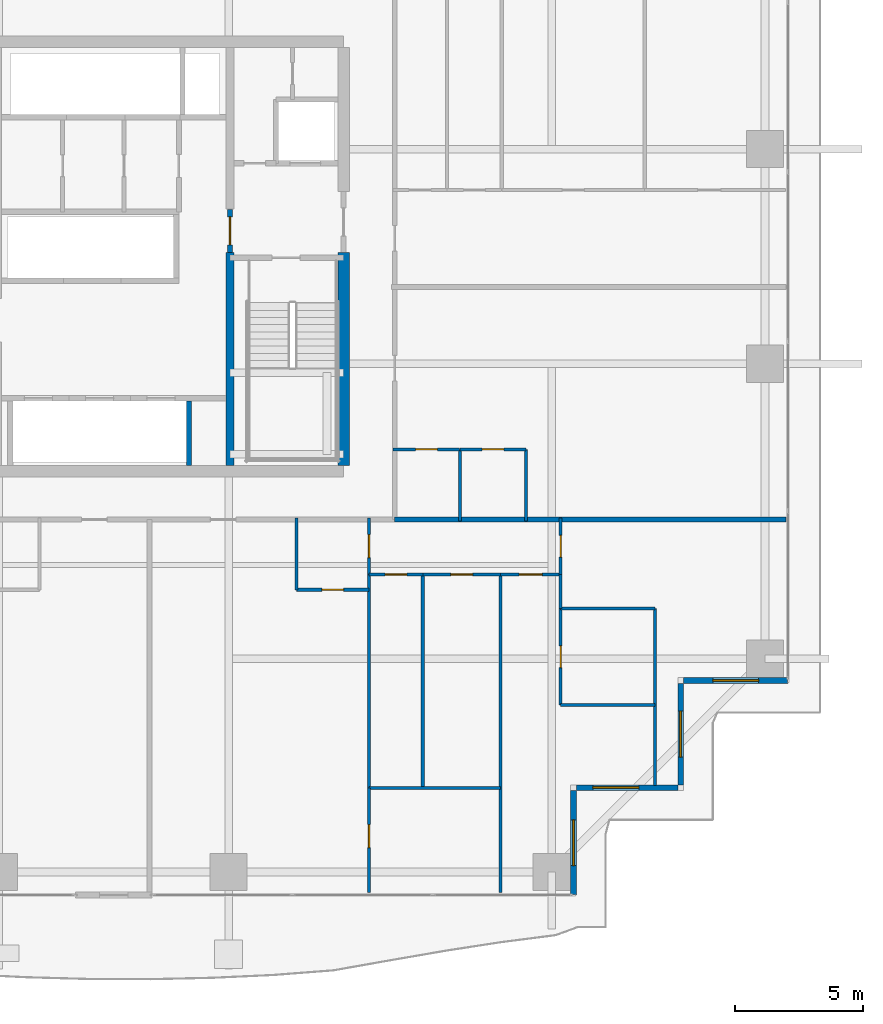
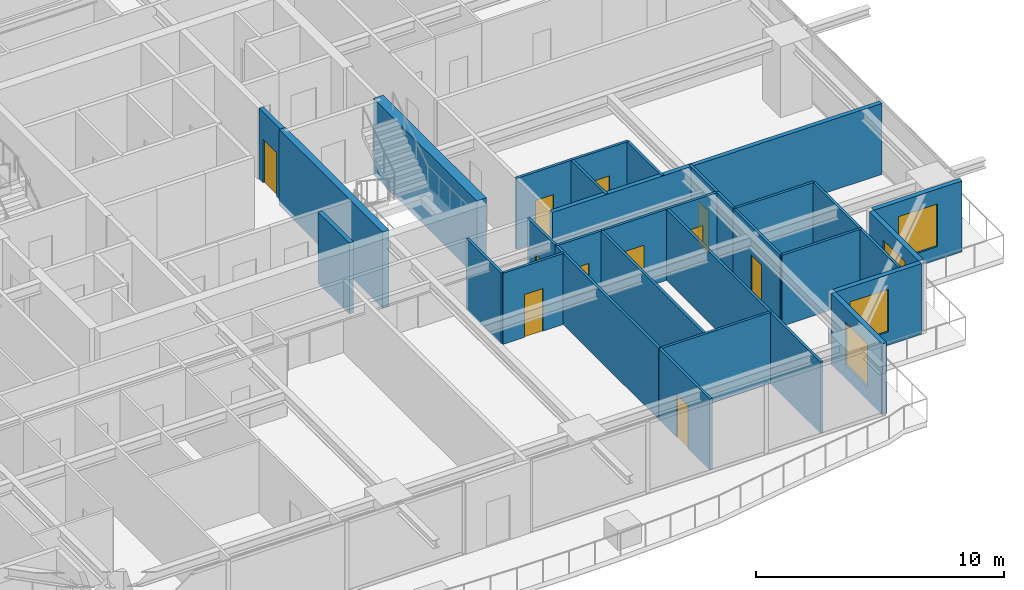
# One storey, part 28 of 39: 30 walls, 11 doors, 4 windows, 15 openings.
"""IFC4 building model written with IfcOpenShell, lengths in metres."""

from ifc_helpers import new_model, si_unit, direction, frame, frame_2d, origin, place, context, subcontext, project, spatial, rectangle, extrude, source, transform, mapped, material, layer, layer_set, type_object, element, fill, save


model = new_model("IFC4")

# Units and contexts
model_context = context("Model", 3, precision=1e-05, world=origin(), true_north=direction((0.0, 1.0)))
body_context = subcontext(model_context, "Body", "Model", "MODEL_VIEW")
ifc_project = project(units=[si_unit("LENGTHUNIT", "METRE"), si_unit("AREAUNIT", "SQUARE_METRE"), si_unit("VOLUMEUNIT", "CUBIC_METRE"), si_unit("PLANEANGLEUNIT", "RADIAN"), si_unit("MASSUNIT", "GRAM", prefix="KILO")], contexts=[model_context])

# Site, building, storey
site_placement = place(None, origin())
site = spatial("IfcSite", under=ifc_project, at=site_placement, CompositionType="ELEMENT")
building_placement = place(site_placement, origin())
building = spatial("IfcBuilding", under=site, at=building_placement, Name="Serunith Strait Residences", CompositionType="ELEMENT")
storey_placement = place(building_placement, frame((0.0, 0.0, 60.449951171875)))
storey = spatial("IfcBuildingStorey", under=building, at=storey_placement, Name="L14", CompositionType="ELEMENT", Elevation=60.449951171875)

# Wall, opening, window
ifc_material_1 = material(Name="Pale-Champagne Aluminium Insulated Panel", Category="aluminium")
ifc_layer_1 = layer(ifc_material_1, 0.219970703125, Name="Pale-Champagne Aluminium Insulated Panel")
ifc_layer_set_1 = layer_set([ifc_layer_1], Name="Pale-Champagne Aluminium Insulated Panel")
wall_type_1 = type_object("IfcWallType", Name="EW-ALUM-220", PredefinedType="ELEMENTEDWALL", material=ifc_layer_set_1)
wall_1_placement = place(storey_placement, frame((50.39990234375, 0.199951171875, 0.0), z_axis=(0.0, 0.0, 1.0), x_axis=(0.0, 1.0, 0.0)))
wall_1 = element("IfcWall", 1, at=wall_1_placement, inside=storey, type_object=wall_type_1, Name="L14 Girih Serrated Corner Wall 02", PredefinedType="ELEMENTEDWALL", context=body_context, shape_type="SweptSolid", body=[
    extrude(rectangle(XDim=4.090087890625, YDim=0.219970703125, at=frame_2d((2.044921875, 0.0))), origin(), (0.0, 0.0, 1.0), 3.47509765625),
])
opening_1_placement = place(wall_1_placement, frame((1.14501953125, 0.0, 0.64990234375)))
opening_1 = element("IfcOpeningElement", 2, at=opening_1_placement, cuts=wall_1, Name="Opening W-01", PredefinedType="OPENING", context=body_context, shape_type="SweptSolid", body=[
    extrude(rectangle(XDim=1.800048828125, YDim=2.10009765625, at=frame_2d((0.89990234375, 1.050048828125))), frame((0.0, 0.1201171875, 0.0), z_axis=(0.0, -1.0, 0.0), x_axis=(1.0, 0.0, 0.0)), (0.0, 0.0, 1.0), 0.239990234375),
])
ifc_material_2 = material(Name="Ceramic-Fritted Operable Aluminium Window Glass", Category="aluminium")
window_type = type_object("IfcWindowType", Name="WIN-C1", PartitioningType="DOUBLE_PANEL_VERTICAL", PredefinedType="WINDOW", material=ifc_material_2)
shared_shape_1 = source(origin(), body_context, "Body", "SweptSolid", [
    extrude(rectangle(XDim=1.800048828125, YDim=2.10009765625, at=frame_2d((0.89990234375, 1.050048828125))), frame((0.0, 0.030029296875, 0.0), z_axis=(0.0, -1.0, 0.0), x_axis=(1.0, 0.0, 0.0)), (0.0, 0.0, 1.0), 0.06005859375),
])
window_1_placement = place(opening_1_placement, origin())
window_1 = element("IfcWindow", 3, at=window_1_placement, inside=storey, type_object=window_type, Name="L14 Corner Operable Fritted Window 02", OverallHeight=2.10009765625, OverallWidth=1.800048828125, PartitioningType="SINGLE_PANEL", PredefinedType="WINDOW", context=body_context, shape_type="MappedRepresentation", body=[
    mapped(shared_shape_1, transform((0.0, 0.0, 0.0), scale=1.0)),
])
fill(opening_1, window_1)

wall_2_placement = place(storey_placement, frame((50.510009765625, 4.39990234375, 0.0), z_axis=(0.0, 0.0, 1.0), x_axis=(1.0, 0.0, 0.0)))
wall_2 = element("IfcWall", 4, at=wall_2_placement, inside=storey, type_object=wall_type_1, Name="L14 Girih Serrated Corner Wall 03", PredefinedType="ELEMENTEDWALL", context=body_context, shape_type="SweptSolid", body=[
    extrude(rectangle(XDim=3.97998046875, YDim=0.219970703125, at=frame_2d((1.989990234375, 0.0))), origin(), (0.0, 0.0, 1.0), 3.47509765625),
])
opening_2_placement = place(wall_2_placement, frame((0.654052734375, 0.0, 0.64990234375)))
opening_2 = element("IfcOpeningElement", 5, at=opening_2_placement, cuts=wall_2, Name="Opening W-01", PredefinedType="OPENING", context=body_context, shape_type="SweptSolid", body=[
    extrude(rectangle(XDim=1.800048828125, YDim=2.10009765625, at=frame_2d((0.89990234375, 1.050048828125))), frame((0.0, 0.1201171875, 0.0), z_axis=(0.0, -1.0, 0.0), x_axis=(1.0, 0.0, 0.0)), (0.0, 0.0, 1.0), 0.239990234375),
])
window_2_placement = place(opening_2_placement, origin())
window_2 = element("IfcWindow", 6, at=window_2_placement, inside=storey, type_object=window_type, Name="L14 Corner Operable Fritted Window 03", OverallHeight=2.10009765625, OverallWidth=1.800048828125, PartitioningType="SINGLE_PANEL", PredefinedType="WINDOW", context=body_context, shape_type="MappedRepresentation", body=[
    mapped(shared_shape_1, transform((0.0, 0.0, 0.0), scale=1.0)),
])
fill(opening_2, window_2)

wall_3_placement = place(storey_placement, frame((54.60009765625, 4.510009765625, 0.0), z_axis=(0.0, 0.0, 1.0), x_axis=(0.0, 1.0, 0.0)))
wall_3 = element("IfcWall", 7, at=wall_3_placement, inside=storey, type_object=wall_type_1, Name="L14 Girih Serrated Corner Wall 04", PredefinedType="ELEMENTEDWALL", context=body_context, shape_type="SweptSolid", body=[
    extrude(rectangle(XDim=3.97998046875, YDim=0.219970703125, at=frame_2d((1.989990234375, 0.0))), origin(), (0.0, 0.0, 1.0), 3.47509765625),
])
opening_3_placement = place(wall_3_placement, frame((1.090087890625, 0.0, 0.64990234375)))
opening_3 = element("IfcOpeningElement", 8, at=opening_3_placement, cuts=wall_3, Name="Opening W-01", PredefinedType="OPENING", context=body_context, shape_type="SweptSolid", body=[
    extrude(rectangle(XDim=1.800048828125, YDim=2.10009765625, at=frame_2d((0.89990234375, 1.050048828125))), frame((0.0, 0.1201171875, 0.0), z_axis=(0.0, -1.0, 0.0), x_axis=(1.0, 0.0, 0.0)), (0.0, 0.0, 1.0), 0.239990234375),
])
window_3_placement = place(opening_3_placement, origin())
window_3 = element("IfcWindow", 9, at=window_3_placement, inside=storey, type_object=window_type, Name="L14 Corner Operable Fritted Window 04", OverallHeight=2.10009765625, OverallWidth=1.800048828125, PartitioningType="SINGLE_PANEL", PredefinedType="WINDOW", context=body_context, shape_type="MappedRepresentation", body=[
    mapped(shared_shape_1, transform((0.0, 0.0, 0.0), scale=1.0)),
])
fill(opening_3, window_3)

wall_4_placement = place(storey_placement, frame((54.7099609375, 8.60009765625, 0.0), z_axis=(0.0, 0.0, 1.0), x_axis=(1.0, 0.0, 0.0)))
wall_4 = element("IfcWall", 10, at=wall_4_placement, inside=storey, type_object=wall_type_1, Name="L14 Girih Serrated Corner Wall 05", PredefinedType="ELEMENTEDWALL", context=body_context, shape_type="SweptSolid", body=[
    extrude(rectangle(XDim=4.090087890625, YDim=0.219970703125, at=frame_2d((2.044921875, 0.0))), origin(), (0.0, 0.0, 1.0), 3.47509765625),
])
opening_4_placement = place(wall_4_placement, frame((1.14501953125, 0.0, 0.64990234375)))
opening_4 = element("IfcOpeningElement", 11, at=opening_4_placement, cuts=wall_4, Name="Opening W-01", PredefinedType="OPENING", context=body_context, shape_type="SweptSolid", body=[
    extrude(rectangle(XDim=1.800048828125, YDim=2.10009765625, at=frame_2d((0.89990234375, 1.050048828125))), frame((0.0, 0.1201171875, 0.0), z_axis=(0.0, -1.0, 0.0), x_axis=(1.0, 0.0, 0.0)), (0.0, 0.0, 1.0), 0.239990234375),
])
window_4_placement = place(opening_4_placement, origin())
window_4 = element("IfcWindow", 12, at=window_4_placement, inside=storey, type_object=window_type, Name="L14 Corner Operable Fritted Window 05", OverallHeight=2.10009765625, OverallWidth=1.800048828125, PartitioningType="SINGLE_PANEL", PredefinedType="WINDOW", context=body_context, shape_type="MappedRepresentation", body=[
    mapped(shared_shape_1, transform((0.0, 0.0, 0.0), scale=1.0)),
])
fill(opening_4, window_4)

# Wall, opening, door
ifc_material_3 = material(Name="Lightweight steel-stud gypsum partition", Category="steel")
ifc_layer_2 = layer(ifc_material_3, 0.1201171875, Name="Lightweight steel-stud gypsum partition")
ifc_layer_set_2 = layer_set([ifc_layer_2], Name="Lightweight steel-stud gypsum partition")
wall_type_2 = type_object("IfcWallType", Name="IW-PART-120", PredefinedType="PARTITIONING", material=ifc_layer_set_2)
wall_5_placement = place(storey_placement, frame((39.550048828125, 12.14990234375, 0.0), z_axis=(0.0, 0.0, 1.0), x_axis=(1.0, 0.0, 0.0)))
wall_5 = element("IfcWall", 13, at=wall_5_placement, inside=storey, type_object=wall_type_2, Name="L14 Partition Wall 047", PredefinedType="PARTITIONING", context=body_context, shape_type="SweptSolid", body=[
    extrude(rectangle(XDim=2.849853515625, YDim=0.1201171875, at=frame_2d((1.4248046875, 0.0))), origin(), (0.0, 0.0, 1.0), 3.489990234375),
])
opening_5_placement = place(wall_5_placement, frame((1.0, 0.0, 0.0)))
opening_5 = element("IfcOpeningElement", 14, at=opening_5_placement, cuts=wall_5, Name="Opening D-RM850", PredefinedType="OPENING", context=body_context, shape_type="SweptSolid", body=[
    extrude(rectangle(XDim=0.85009765625, YDim=2.10009765625, at=frame_2d((0.425048828125, 1.050048828125))), frame((0.0, 0.070068359375, 0.0), z_axis=(0.0, -1.0, 0.0), x_axis=(1.0, 0.0, 0.0)), (0.0, 0.0, 1.0), 0.14013671875),
])
ifc_material_4 = material(Name="Engineered timber flush study and kitchen door", Category="wood")
door_type_1 = type_object("IfcDoorType", Name="ID-ROOM-850", OperationType="NOTDEFINED", PredefinedType="DOOR", material=ifc_material_4)
shared_shape_2 = source(origin(), body_context, "Body", "SweptSolid", [
    extrude(rectangle(XDim=0.85009765625, YDim=2.10009765625, at=frame_2d((0.425048828125, 1.050048828125))), frame((0.0, 0.02490234375, 0.0), z_axis=(0.0, -1.0, 0.0), x_axis=(1.0, 0.0, 0.0)), (0.0, 0.0, 1.0), 0.050048828125),
])
door_1_placement = place(opening_5_placement, origin())
door_1 = element("IfcDoor", 15, at=door_1_placement, inside=storey, type_object=door_type_1, Name="L14 Kitchen 1402 Door", OperationType="SINGLE_SWING_LEFT", OverallHeight=2.10009765625, OverallWidth=0.85009765625, PredefinedType="DOOR", context=body_context, shape_type="MappedRepresentation", body=[
    mapped(shared_shape_2, transform((0.0, 0.0, 0.0), scale=1.0)),
])
fill(opening_5, door_1)

# Wall
wall_6_placement = place(storey_placement, frame((39.550048828125, 12.14990234375, 0.0), z_axis=(0.0, 0.0, 1.0), x_axis=(0.0, 1.0, 0.0)))
element("IfcWall", 16, at=wall_6_placement, inside=storey, type_object=wall_type_2, Name="L14 Partition Wall 048", PredefinedType="PARTITIONING", context=body_context, shape_type="SweptSolid", body=[
    extrude(rectangle(XDim=2.81005859375, YDim=0.1201171875, at=frame_2d((1.405029296875, 0.0))), origin(), (0.0, 0.0, 1.0), 3.489990234375),
])

# Wall, opening, door
wall_7_placement = place(storey_placement, frame((42.39990234375, 12.75, 0.0), z_axis=(0.0, 0.0, 1.0), x_axis=(0.0, 1.0, 0.0)))
wall_7 = element("IfcWall", 17, at=wall_7_placement, inside=storey, type_object=wall_type_2, Name="L14 Partition Wall 049", PredefinedType="PARTITIONING", context=body_context, shape_type="SweptSolid", body=[
    extrude(rectangle(XDim=2.2099609375, YDim=0.1201171875, at=frame_2d((1.10498046875, 0.0))), origin(), (0.0, 0.0, 1.0), 3.489990234375),
])
opening_6_placement = place(wall_7_placement, frame((0.655029296875, 0.0, 0.0)))
opening_6 = element("IfcOpeningElement", 18, at=opening_6_placement, cuts=wall_7, Name="Opening D-RM900", PredefinedType="OPENING", context=body_context, shape_type="SweptSolid", body=[
    extrude(rectangle(XDim=0.89990234375, YDim=2.10009765625, at=frame_2d((0.449951171875, 1.050048828125))), frame((0.0, 0.070068359375, 0.0), z_axis=(0.0, -1.0, 0.0), x_axis=(1.0, 0.0, 0.0)), (0.0, 0.0, 1.0), 0.14013671875),
])
ifc_material_5 = material(Name="Engineered timber flush bedroom door", Category="wood")
door_type_2 = type_object("IfcDoorType", Name="ID-ROOM-900", OperationType="NOTDEFINED", PredefinedType="DOOR", material=ifc_material_5)
shared_shape_3 = source(origin(), body_context, "Body", "SweptSolid", [
    extrude(rectangle(XDim=0.89990234375, YDim=2.10009765625, at=frame_2d((0.449951171875, 1.050048828125))), frame((0.0, 0.02490234375, 0.0), z_axis=(0.0, -1.0, 0.0), x_axis=(1.0, 0.0, 0.0)), (0.0, 0.0, 1.0), 0.050048828125),
])
door_2_placement = place(opening_6_placement, origin())
door_2 = element("IfcDoor", 19, at=door_2_placement, inside=storey, type_object=door_type_2, Name="L14 Hall E 1402 Door", OperationType="SINGLE_SWING_RIGHT", OverallHeight=2.10009765625, OverallWidth=0.89990234375, PredefinedType="DOOR", context=body_context, shape_type="MappedRepresentation", body=[
    mapped(shared_shape_3, transform((0.0, 0.0, 0.0), scale=1.0)),
])
fill(opening_6, door_2)

wall_8_placement = place(storey_placement, frame((42.39990234375, 0.294921875, 0.0), z_axis=(0.0, 0.0, 1.0), x_axis=(0.0, 1.0, 0.0)))
wall_8 = element("IfcWall", 20, at=wall_8_placement, inside=storey, type_object=wall_type_2, Name="L14 Partition Wall 050", PredefinedType="PARTITIONING", context=body_context, shape_type="SweptSolid", body=[
    extrude(rectangle(XDim=4.10009765625, YDim=0.1201171875, at=frame_2d((2.050048828125, 0.0))), origin(), (0.0, 0.0, 1.0), 3.489990234375),
])
opening_7_placement = place(wall_8_placement, frame((1.760009765625, 0.0, 0.0)))
opening_7 = element("IfcOpeningElement", 21, at=opening_7_placement, cuts=wall_8, Name="Opening D-RM900", PredefinedType="OPENING", context=body_context, shape_type="SweptSolid", body=[
    extrude(rectangle(XDim=0.89990234375, YDim=2.10009765625, at=frame_2d((0.449951171875, 1.050048828125))), frame((0.0, 0.070068359375, 0.0), z_axis=(0.0, -1.0, 0.0), x_axis=(1.0, 0.0, 0.0)), (0.0, 0.0, 1.0), 0.14013671875),
])
door_3_placement = place(opening_7_placement, origin())
door_3 = element("IfcDoor", 22, at=door_3_placement, inside=storey, type_object=door_type_2, Name="L14 Study 1 1402 Door", OperationType="SINGLE_SWING_LEFT", OverallHeight=2.10009765625, OverallWidth=0.89990234375, PredefinedType="DOOR", context=body_context, shape_type="MappedRepresentation", body=[
    mapped(shared_shape_3, transform((0.0, 0.0, 0.0), scale=1.0)),
])
fill(opening_7, door_3)

# Walls
wall_9_placement = place(storey_placement, frame((42.39990234375, 4.39697265625, 0.0), z_axis=(0.0, 0.0, 1.0), x_axis=(0.0, 1.0, 0.0)))
element("IfcWall", 23, at=wall_9_placement, inside=storey, type_object=wall_type_2, Name="L14 Partition Wall 051", PredefinedType="PARTITIONING", context=body_context, shape_type="SweptSolid", body=[
    extrude(rectangle(XDim=8.35107421875, YDim=0.1201171875, at=frame_2d((4.175537109375, 0.0))), origin(), (0.0, 0.0, 1.0), 3.489990234375),
])
wall_10_placement = place(storey_placement, frame((42.39990234375, 4.39501953125, 0.0), z_axis=(0.0, 0.0, 1.0), x_axis=(1.0, 0.0, 0.0)))
element("IfcWall", 24, at=wall_10_placement, inside=storey, type_object=wall_type_2, Name="L14 Partition Wall 052", PredefinedType="PARTITIONING", context=body_context, shape_type="SweptSolid", body=[
    extrude(rectangle(XDim=5.150146484375, YDim=0.1201171875, at=frame_2d((2.5751953125, 0.0))), origin(), (0.0, 0.0, 1.0), 3.489990234375),
])
wall_11_placement = place(storey_placement, frame((47.550048828125, 0.294921875, 0.0), z_axis=(0.0, 0.0, 1.0), x_axis=(0.0, 1.0, 0.0)))
element("IfcWall", 25, at=wall_11_placement, inside=storey, type_object=wall_type_2, Name="L14 Partition Wall 053", PredefinedType="PARTITIONING", context=body_context, shape_type="SweptSolid", body=[
    extrude(rectangle(XDim=12.455078125, YDim=0.1201171875, at=frame_2d((6.2275390625, 0.0))), origin(), (0.0, 0.0, 1.0), 3.489990234375),
])
wall_12_placement = place(storey_placement, frame((44.5, 4.39501953125, 0.0), z_axis=(0.0, 0.0, 1.0), x_axis=(0.0, 1.0, 0.0)))
element("IfcWall", 26, at=wall_12_placement, inside=storey, type_object=wall_type_2, Name="L14 Partition Wall 054", PredefinedType="PARTITIONING", context=body_context, shape_type="SweptSolid", body=[
    extrude(rectangle(XDim=8.35498046875, YDim=0.1201171875, at=frame_2d((4.177490234375, 0.0))), origin(), (0.0, 0.0, 1.0), 3.489990234375),
])

# Wall, opening, door
wall_13_placement = place(storey_placement, frame((42.39990234375, 12.75, 0.0), z_axis=(0.0, 0.0, 1.0), x_axis=(1.0, 0.0, 0.0)))
wall_13 = element("IfcWall", 27, at=wall_13_placement, inside=storey, type_object=wall_type_2, Name="L14 Partition Wall 055", PredefinedType="PARTITIONING", context=body_context, shape_type="SweptSolid", body=[
    extrude(rectangle(XDim=2.10009765625, YDim=0.1201171875, at=frame_2d((1.050048828125, 0.0))), origin(), (0.0, 0.0, 1.0), 3.489990234375),
])
opening_8_placement = place(wall_13_placement, frame((0.625, 0.0, 0.0)))
opening_8 = element("IfcOpeningElement", 28, at=opening_8_placement, cuts=wall_13, Name="Opening D-BTH850", PredefinedType="OPENING", context=body_context, shape_type="SweptSolid", body=[
    extrude(rectangle(XDim=0.85009765625, YDim=2.10009765625, at=frame_2d((0.425048828125, 1.050048828125))), frame((0.0, 0.070068359375, 0.0), z_axis=(0.0, -1.0, 0.0), x_axis=(1.0, 0.0, 0.0)), (0.0, 0.0, 1.0), 0.14013671875),
])
ifc_material_6 = material(Name="Moisture-resistant timber bathroom door", Category="wood")
door_type_3 = type_object("IfcDoorType", Name="ID-BATH-850", OperationType="NOTDEFINED", PredefinedType="DOOR", material=ifc_material_6)
door_4_placement = place(opening_8_placement, origin())
door_4 = element("IfcDoor", 29, at=door_4_placement, inside=storey, type_object=door_type_3, Name="L14 Bathroom 1402 Door", OperationType="SINGLE_SWING_RIGHT", OverallHeight=2.10009765625, OverallWidth=0.85009765625, PredefinedType="DOOR", context=body_context, shape_type="MappedRepresentation", body=[
    mapped(shared_shape_2, transform((0.0, 0.0, 0.0), scale=1.0)),
])
fill(opening_8, door_4)

wall_14_placement = place(storey_placement, frame((44.501953125, 12.75, 0.0), z_axis=(0.0, 0.0, 1.0), x_axis=(1.0, 0.0, 0.0)))
wall_14 = element("IfcWall", 30, at=wall_14_placement, inside=storey, type_object=wall_type_2, Name="L14 Partition Wall 056", PredefinedType="PARTITIONING", context=body_context, shape_type="SweptSolid", body=[
    extrude(rectangle(XDim=3.048095703125, YDim=0.1201171875, at=frame_2d((1.52392578125, 0.0))), origin(), (0.0, 0.0, 1.0), 3.489990234375),
])
opening_9_placement = place(wall_14_placement, frame((1.09912109375, 0.0, 0.0)))
opening_9 = element("IfcOpeningElement", 31, at=opening_9_placement, cuts=wall_14, Name="Opening D-RM850", PredefinedType="OPENING", context=body_context, shape_type="SweptSolid", body=[
    extrude(rectangle(XDim=0.85009765625, YDim=2.10009765625, at=frame_2d((0.425048828125, 1.050048828125))), frame((0.0, 0.070068359375, 0.0), z_axis=(0.0, -1.0, 0.0), x_axis=(1.0, 0.0, 0.0)), (0.0, 0.0, 1.0), 0.14013671875),
])
door_5_placement = place(opening_9_placement, origin())
door_5 = element("IfcDoor", 32, at=door_5_placement, inside=storey, type_object=door_type_1, Name="L14 Study 1402 Door", OperationType="SINGLE_SWING_LEFT", OverallHeight=2.10009765625, OverallWidth=0.85009765625, PredefinedType="DOOR", context=body_context, shape_type="MappedRepresentation", body=[
    mapped(shared_shape_2, transform((0.0, 0.0, 0.0), scale=1.0)),
])
fill(opening_9, door_5)

wall_15_placement = place(storey_placement, frame((47.552001953125, 12.75, 0.0), z_axis=(0.0, 0.0, 1.0), x_axis=(1.0, 0.0, 0.0)))
wall_15 = element("IfcWall", 33, at=wall_15_placement, inside=storey, type_object=wall_type_2, Name="L14 Partition Wall 057", PredefinedType="PARTITIONING", context=body_context, shape_type="SweptSolid", body=[
    extrude(rectangle(XDim=2.347900390625, YDim=0.1201171875, at=frame_2d((1.173828125, 0.0))), origin(), (0.0, 0.0, 1.0), 3.489990234375),
])
opening_10_placement = place(wall_15_placement, frame((0.72412109375, 0.0, 0.0)))
opening_10 = element("IfcOpeningElement", 34, at=opening_10_placement, cuts=wall_15, Name="Opening D-RM900", PredefinedType="OPENING", context=body_context, shape_type="SweptSolid", body=[
    extrude(rectangle(XDim=0.89990234375, YDim=2.10009765625, at=frame_2d((0.449951171875, 1.050048828125))), frame((0.0, 0.070068359375, 0.0), z_axis=(0.0, -1.0, 0.0), x_axis=(1.0, 0.0, 0.0)), (0.0, 0.0, 1.0), 0.14013671875),
])
door_6_placement = place(opening_10_placement, origin())
door_6 = element("IfcDoor", 35, at=door_6_placement, inside=storey, type_object=door_type_2, Name="L14 Master Bedroom E 1402 Door", OperationType="SINGLE_SWING_RIGHT", OverallHeight=2.10009765625, OverallWidth=0.89990234375, PredefinedType="DOOR", context=body_context, shape_type="MappedRepresentation", body=[
    mapped(shared_shape_3, transform((0.0, 0.0, 0.0), scale=1.0)),
])
fill(opening_10, door_6)

# Walls
wall_16_placement = place(storey_placement, frame((49.89990234375, 7.637939453125, 0.0), z_axis=(0.0, 0.0, 1.0), x_axis=(1.0, 0.0, 0.0)))
element("IfcWall", 36, at=wall_16_placement, inside=storey, type_object=wall_type_2, Name="L14 Partition Wall 058", PredefinedType="PARTITIONING", context=body_context, shape_type="SweptSolid", body=[
    extrude(rectangle(XDim=3.7001953125, YDim=0.1201171875, at=frame_2d((1.85009765625, 0.0))), origin(), (0.0, 0.0, 1.0), 3.489990234375),
])
wall_17_placement = place(storey_placement, frame((53.60009765625, 4.4951171875, 0.0), z_axis=(0.0, 0.0, 1.0), x_axis=(0.0, 1.0, 0.0)))
element("IfcWall", 37, at=wall_17_placement, inside=storey, type_object=wall_type_2, Name="L14 Partition Wall 059", PredefinedType="PARTITIONING", context=body_context, shape_type="SweptSolid", body=[
    extrude(rectangle(XDim=6.927001953125, YDim=0.1201171875, at=frame_2d((3.46337890625, 0.0))), origin(), (0.0, 0.0, 1.0), 3.489990234375),
])
wall_18_placement = place(storey_placement, frame((49.89990234375, 11.422119140625, 0.0), z_axis=(0.0, 0.0, 1.0), x_axis=(1.0, 0.0, 0.0)))
element("IfcWall", 38, at=wall_18_placement, inside=storey, type_object=wall_type_2, Name="L14 Partition Wall 060", PredefinedType="PARTITIONING", context=body_context, shape_type="SweptSolid", body=[
    extrude(rectangle(XDim=3.7001953125, YDim=0.1201171875, at=frame_2d((1.85009765625, 0.0))), origin(), (0.0, 0.0, 1.0), 3.489990234375),
])

# Wall, opening, door
wall_19_placement = place(storey_placement, frame((49.89990234375, 7.637939453125, 0.0), z_axis=(0.0, 0.0, 1.0), x_axis=(0.0, 1.0, 0.0)))
wall_19 = element("IfcWall", 39, at=wall_19_placement, inside=storey, type_object=wall_type_2, Name="L14 Partition Wall 061", PredefinedType="PARTITIONING", context=body_context, shape_type="SweptSolid", body=[
    extrude(rectangle(XDim=3.7841796875, YDim=0.1201171875, at=frame_2d((1.89208984375, 0.0))), origin(), (0.0, 0.0, 1.0), 3.489990234375),
])
opening_11_placement = place(wall_19_placement, frame((1.467041015625, 0.0, 0.0)))
opening_11 = element("IfcOpeningElement", 40, at=opening_11_placement, cuts=wall_19, Name="Opening D-BTH850", PredefinedType="OPENING", context=body_context, shape_type="SweptSolid", body=[
    extrude(rectangle(XDim=0.85009765625, YDim=2.10009765625, at=frame_2d((0.425048828125, 1.050048828125))), frame((0.0, 0.070068359375, 0.0), z_axis=(0.0, -1.0, 0.0), x_axis=(1.0, 0.0, 0.0)), (0.0, 0.0, 1.0), 0.14013671875),
])
door_7_placement = place(opening_11_placement, origin())
door_7 = element("IfcDoor", 41, at=door_7_placement, inside=storey, type_object=door_type_3, Name="L14 En-suite Bathroom E 1402 Door", OperationType="SINGLE_SWING_LEFT", OverallHeight=2.10009765625, OverallWidth=0.85009765625, PredefinedType="DOOR", context=body_context, shape_type="MappedRepresentation", body=[
    mapped(shared_shape_2, transform((0.0, 0.0, 0.0), scale=1.0)),
])
fill(opening_11, door_7)

# Wall
wall_20_placement = place(storey_placement, frame((49.89990234375, 11.424072265625, 0.0), z_axis=(0.0, 0.0, 1.0), x_axis=(0.0, 1.0, 0.0)))
element("IfcWall", 42, at=wall_20_placement, inside=storey, type_object=wall_type_2, Name="L14 Partition Wall 062", PredefinedType="PARTITIONING", context=body_context, shape_type="SweptSolid", body=[
    extrude(rectangle(XDim=1.325927734375, YDim=0.1201171875, at=frame_2d((0.6630859375, 0.0))), origin(), (0.0, 0.0, 1.0), 3.489990234375),
])

# Wall, opening, door
wall_21_placement = place(storey_placement, frame((49.89990234375, 12.751953125, 0.0), z_axis=(0.0, 0.0, 1.0), x_axis=(0.0, 1.0, 0.0)))
wall_21 = element("IfcWall", 43, at=wall_21_placement, inside=storey, type_object=wall_type_2, Name="L14 Partition Wall 063", PredefinedType="PARTITIONING", context=body_context, shape_type="SweptSolid", body=[
    extrude(rectangle(XDim=2.2080078125, YDim=0.1201171875, at=frame_2d((1.10400390625, 0.0))), origin(), (0.0, 0.0, 1.0), 3.489990234375),
])
opening_12_placement = place(wall_21_placement, frame((0.678955078125, 0.0, 0.0)))
opening_12 = element("IfcOpeningElement", 44, at=opening_12_placement, cuts=wall_21, Name="Opening D-RM850", PredefinedType="OPENING", context=body_context, shape_type="SweptSolid", body=[
    extrude(rectangle(XDim=0.85009765625, YDim=2.10009765625, at=frame_2d((0.425048828125, 1.050048828125))), frame((0.0, 0.070068359375, 0.0), z_axis=(0.0, -1.0, 0.0), x_axis=(1.0, 0.0, 0.0)), (0.0, 0.0, 1.0), 0.14013671875),
])
door_8_placement = place(opening_12_placement, origin())
door_8 = element("IfcDoor", 45, at=door_8_placement, inside=storey, type_object=door_type_1, Name="L14 Wardrobe E 1402 Door", OperationType="SINGLE_SWING_RIGHT", OverallHeight=2.10009765625, OverallWidth=0.85009765625, PredefinedType="DOOR", context=body_context, shape_type="MappedRepresentation", body=[
    mapped(shared_shape_2, transform((0.0, 0.0, 0.0), scale=1.0)),
])
fill(opening_12, door_8)

wall_22_placement = place(storey_placement, frame((48.550048828125, 17.64990234375, 0.0), z_axis=(0.0, 0.0, 1.0), x_axis=(-1.0, 0.0, 0.0)))
wall_22 = element("IfcWall", 46, at=wall_22_placement, inside=storey, type_object=wall_type_2, Name="L14 Partition Wall 114", PredefinedType="PARTITIONING", context=body_context, shape_type="SweptSolid", body=[
    extrude(rectangle(XDim=2.60009765625, YDim=0.1201171875, at=frame_2d((1.300048828125, 0.0))), origin(), (0.0, 0.0, 1.0), 3.489990234375),
])
opening_13_placement = place(wall_22_placement, frame((0.875, 0.0, 0.0)))
opening_13 = element("IfcOpeningElement", 47, at=opening_13_placement, cuts=wall_22, Name="Opening D-RM850", PredefinedType="OPENING", context=body_context, shape_type="SweptSolid", body=[
    extrude(rectangle(XDim=0.85009765625, YDim=2.10009765625, at=frame_2d((0.425048828125, 1.050048828125))), frame((0.0, 0.070068359375, 0.0), z_axis=(0.0, -1.0, 0.0), x_axis=(1.0, 0.0, 0.0)), (0.0, 0.0, 1.0), 0.14013671875),
])
door_9_placement = place(opening_13_placement, origin())
door_9 = element("IfcDoor", 48, at=door_9_placement, inside=storey, type_object=door_type_1, Name="L14 Kitchen 1408 Door", OperationType="SINGLE_SWING_RIGHT", OverallHeight=2.10009765625, OverallWidth=0.85009765625, PredefinedType="DOOR", context=body_context, shape_type="MappedRepresentation", body=[
    mapped(shared_shape_2, transform((0.0, 0.0, 0.0), scale=1.0)),
])
fill(opening_13, door_9)

wall_23_placement = place(storey_placement, frame((45.947998046875, 17.64990234375, 0.0), z_axis=(0.0, 0.0, 1.0), x_axis=(-1.0, 0.0, 0.0)))
wall_23 = element("IfcWall", 49, at=wall_23_placement, inside=storey, type_object=wall_type_2, Name="L14 Partition Wall 115", PredefinedType="PARTITIONING", context=body_context, shape_type="SweptSolid", body=[
    extrude(rectangle(XDim=2.60791015625, YDim=0.1201171875, at=frame_2d((1.303955078125, 0.0))), origin(), (0.0, 0.0, 1.0), 3.489990234375),
])
opening_14_placement = place(wall_23_placement, frame((0.87890625, 0.0, 0.0)))
opening_14 = element("IfcOpeningElement", 50, at=opening_14_placement, cuts=wall_23, Name="Opening D-BTH850", PredefinedType="OPENING", context=body_context, shape_type="SweptSolid", body=[
    extrude(rectangle(XDim=0.85009765625, YDim=2.10009765625, at=frame_2d((0.425048828125, 1.050048828125))), frame((0.0, 0.070068359375, 0.0), z_axis=(0.0, -1.0, 0.0), x_axis=(1.0, 0.0, 0.0)), (0.0, 0.0, 1.0), 0.14013671875),
])
door_10_placement = place(opening_14_placement, origin())
door_10 = element("IfcDoor", 51, at=door_10_placement, inside=storey, type_object=door_type_3, Name="L14 Bathroom 1408 Door", OperationType="SINGLE_SWING_LEFT", OverallHeight=2.10009765625, OverallWidth=0.85009765625, PredefinedType="DOOR", context=body_context, shape_type="MappedRepresentation", body=[
    mapped(shared_shape_2, transform((0.0, 0.0, 0.0), scale=1.0)),
])
fill(opening_14, door_10)

# Walls
for number, where, z_axis, x_axis, name in (
    (52, (45.949951171875, 14.840087890625, 0.0), (0.0, 0.0, 1.0), (0.0, 1.0, 0.0), "L14 Partition Wall 116"),
    (53, (48.550048828125, 14.840087890625, 0.0), (0.0, 0.0, 1.0), (0.0, 1.0, 0.0), "L14 Partition Wall 117"),
):
    element("IfcWall", number, at=place(storey_placement, frame(where, z_axis=z_axis, x_axis=x_axis)), inside=storey, type_object=wall_type_2, Name=name, PredefinedType="PARTITIONING", context=body_context, shape_type="SweptSolid", body=[
        extrude(rectangle(XDim=2.809814453125, YDim=0.1201171875, at=frame_2d((1.40478515625, 0.0))), origin(), (0.0, 0.0, 1.0), 3.489990234375),
    ])
ifc_material_7 = material(Name="Twin-stud acoustic gypsum board partition")
ifc_layer_3 = layer(ifc_material_7, 0.199951171875, Name="Twin-stud acoustic gypsum board partition")
ifc_layer_set_3 = layer_set([ifc_layer_3], Name="Twin-stud acoustic gypsum board partition")
wall_type_3 = type_object("IfcWallType", Name="IW-PARTY-200", PredefinedType="PARTITIONING", material=ifc_layer_set_3)
wall_24_placement = place(storey_placement, frame((43.39990234375, 14.89990234375, 0.0), z_axis=(0.0, 0.0, 1.0), x_axis=(1.0, 0.0, 0.0)))
element("IfcWall", 54, at=wall_24_placement, inside=storey, type_object=wall_type_3, Name="L14 Partition Wall 023", PredefinedType="PARTITIONING", context=body_context, shape_type="SweptSolid", body=[
    extrude(rectangle(XDim=15.318115234375, YDim=0.199951171875, at=frame_2d((7.6591796875, 0.0))), origin(), (0.0, 0.0, 1.0), 3.489990234375),
])
ifc_material_8 = material(Name="Autoclaved aerated concrete blockwork", Category="masonry")
ifc_layer_4 = layer(ifc_material_8, 0.199951171875, Name="Autoclaved aerated concrete blockwork")
ifc_layer_set_4 = layer_set([ifc_layer_4], Name="Autoclaved aerated concrete blockwork")
wall_type_4 = type_object("IfcWallType", Name="IW-SHAFT-200", PredefinedType="STANDARD", material=ifc_layer_set_4)
wall_25_placement = place(storey_placement, frame((35.35009765625, 17.02490234375, 0.0), z_axis=(0.0, 0.0, 1.0), x_axis=(0.0, 1.0, 0.0)))
element("IfcWall", 55, at=wall_25_placement, inside=storey, type_object=wall_type_4, Name="L14 PL-3 East Shaft Wall", PredefinedType="STANDARD", context=body_context, shape_type="SweptSolid", body=[
    extrude(rectangle(XDim=2.525146484375, YDim=0.199951171875, at=frame_2d((1.2626953125, 0.0))), origin(), (0.0, 0.0, 1.0), 3.489990234375),
])

# Wall, opening, door
wall_26_placement = place(storey_placement, frame((36.949951171875, 25.35205078125, 0.0), z_axis=(0.0, 0.0, 1.0), x_axis=(0.0, 1.0, 0.0)))
wall_26 = element("IfcWall", 56, at=wall_26_placement, inside=storey, type_object=wall_type_4, Name="L14 Partition Wall 010", PredefinedType="STANDARD", context=body_context, shape_type="SweptSolid", body=[
    extrude(rectangle(XDim=1.696044921875, YDim=0.199951171875, at=frame_2d((0.84814453125, 0.0))), origin(), (0.0, 0.0, 1.0), 3.489990234375),
])
opening_15_placement = place(wall_26_placement, frame((0.298095703125, 0.0, 0.0)))
opening_15 = element("IfcOpeningElement", 57, at=opening_15_placement, cuts=wall_26, Name="Opening FD-FFL", PredefinedType="OPENING", context=body_context, shape_type="SweptSolid", body=[
    extrude(rectangle(XDim=1.10009765625, YDim=2.14990234375, at=frame_2d((0.550048828125, 1.074951171875))), frame((0.0, 0.10986328125, 0.0), z_axis=(0.0, -1.0, 0.0), x_axis=(1.0, 0.0, 0.0)), (0.0, 0.0, 1.0), 0.219970703125),
])
ifc_material_9 = material(Name="Glazed steel smoke-lobby fire door", Category="steel")
door_type_4 = type_object("IfcDoorType", Name="FD-FFL-1100", OperationType="NOTDEFINED", PredefinedType="DOOR", material=ifc_material_9)
shared_shape_4 = source(origin(), body_context, "Body", "SweptSolid", [
    extrude(rectangle(XDim=1.10009765625, YDim=2.14990234375, at=frame_2d((0.550048828125, 1.074951171875))), frame((0.0, 0.02490234375, 0.0), z_axis=(0.0, -1.0, 0.0), x_axis=(1.0, 0.0, 0.0)), (0.0, 0.0, 1.0), 0.050048828125),
])
door_11_placement = place(opening_15_placement, origin())
door_11 = element("IfcDoor", 58, at=door_11_placement, inside=storey, type_object=door_type_4, Name="L14 FFL-2 Lift Lobby Door", OperationType="SINGLE_SWING_RIGHT", OverallHeight=2.14990234375, OverallWidth=1.10009765625, PredefinedType="DOOR", context=body_context, shape_type="MappedRepresentation", body=[
    mapped(shared_shape_4, transform((0.0, 0.0, 0.0), scale=1.0)),
])
fill(opening_15, door_11)

# Walls
ifc_material_10 = material(Name="Concrete C80/95", Category="concrete")
ifc_layer_5 = layer(ifc_material_10, 0.300048828125, Name="Concrete C80/95")
ifc_layer_set_5 = layer_set([ifc_layer_5], Name="Concrete C80/95")
wall_type_5 = type_object("IfcWallType", Name="SW-300-C80", PredefinedType="SHEAR", material=ifc_layer_set_5)
wall_27_placement = place(storey_placement, frame((36.949951171875, 17.02490234375, -0.260009765625), z_axis=(0.0, 0.0, 1.0), x_axis=(0.0, 1.0, 0.0)))
element("IfcWall", 59, at=wall_27_placement, inside=storey, type_object=wall_type_5, Name="L14 Core Internal East Web South Pier", PredefinedType="SHEAR", context=body_context, shape_type="SweptSolid", body=[
    extrude(rectangle(XDim=8.3251953125, YDim=0.300048828125, at=frame_2d((4.16259765625, 0.0))), origin(), (0.0, 0.0, 1.0), 3.748046875),
])
ifc_layer_6 = layer(ifc_material_10, 0.449951171875, Name="Concrete C80/95")
ifc_layer_set_6 = layer_set([ifc_layer_6], Name="Concrete C80/95")
wall_type_6 = type_object("IfcWallType", Name="SW-450-C80", PredefinedType="SHEAR", material=ifc_layer_set_6)
wall_28_placement = place(storey_placement, frame((41.39990234375, 17.02490234375, -0.260009765625), z_axis=(0.0, 0.0, 1.0), x_axis=(0.0, 1.0, 0.0)))
element("IfcWall", 60, at=wall_28_placement, inside=storey, type_object=wall_type_6, Name="L14 Core East Shear Wall South Pier", PredefinedType="SHEAR", context=body_context, shape_type="SweptSolid", body=[
    extrude(rectangle(XDim=8.3251953125, YDim=0.449951171875, at=frame_2d((4.16259765625, 0.0))), origin(), (0.0, 0.0, 1.0), 3.748046875),
])

save(model, "model.ifc")
